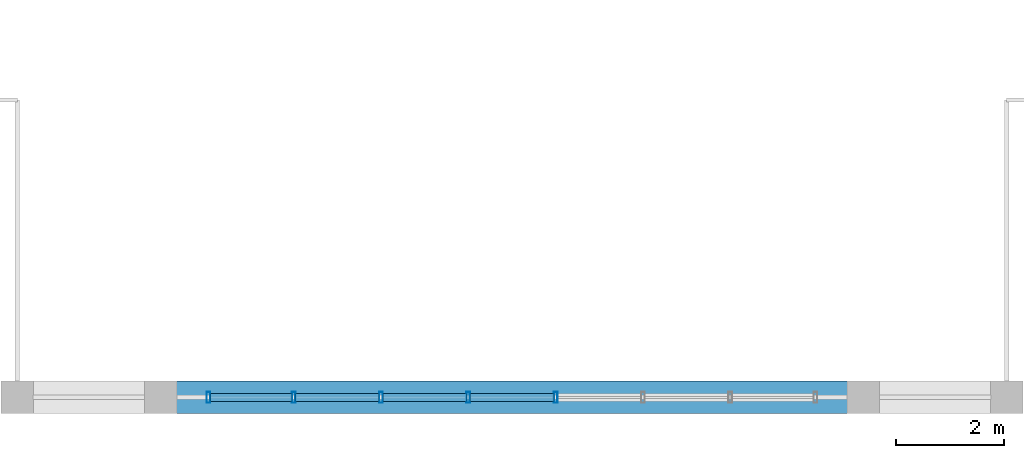
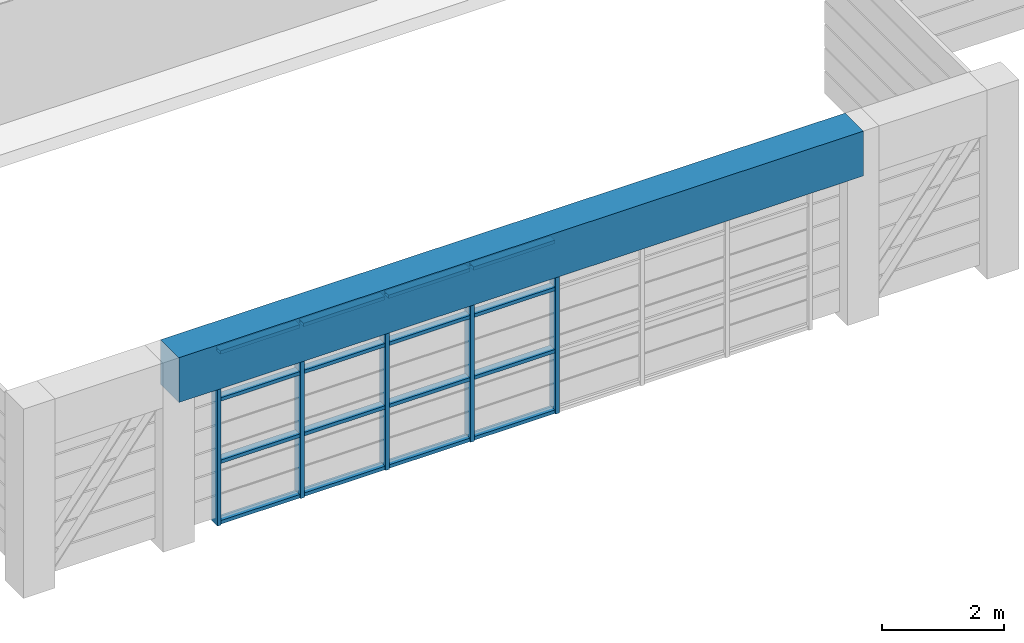
# One storey, part 2 of 21: 21 members, 1 beam, 1 element without a shape of its own.
"""IFC4 building model written with IfcOpenShell, lengths in metres."""

from ifc_helpers import new_model, si_unit, direction, frame, origin, origin_2d, place, context, subcontext, project, spatial, rectangle, hollow_rectangle, extrude, source, transform, mapped, material, layer, layer_set, material_profile, profile_set, type_object, element, aggregate, save


model = new_model("IFC4")

# Units and contexts
model_context = context("Model", 3, precision=1e-05, world=origin(), true_north=direction((0.0, 1.0)))
body_context = subcontext(model_context, "Body", "Model", "MODEL_VIEW")
ifc_project = project(units=[si_unit("LENGTHUNIT", "METRE"), si_unit("AREAUNIT", "SQUARE_METRE"), si_unit("VOLUMEUNIT", "CUBIC_METRE"), si_unit("PLANEANGLEUNIT", "RADIAN"), si_unit("MASSUNIT", "GRAM", prefix="KILO")], contexts=[model_context])

# Site, building, storey
site_placement = place(None, origin())
site = spatial("IfcSite", under=ifc_project, at=site_placement, CompositionType="ELEMENT")
building_placement = place(site_placement, origin())
building = spatial("IfcBuilding", under=site, at=building_placement, Name="Saelheon Loggia Tower", CompositionType="ELEMENT")
storey_placement = place(building_placement, frame((0.0, 0.0, 267.39990234375)))
storey = spatial("IfcBuildingStorey", under=building, at=storey_placement, Name="CR5", CompositionType="ELEMENT", Elevation=267.39990234375)

# Beam
ifc_material_1 = material(Name="Precast Concrete C45/55", Category="concrete")
ifc_material_profile_1 = material_profile(ifc_material_1, rectangle(XDim=0.60009765625, YDim=0.89990234375, at=origin_2d()), Name="RC-600x900")
ifc_profile_set_1 = profile_set([ifc_material_profile_1], Name="Precast Concrete C45/55")
beam_type = type_object("IfcBeamType", Name="CrownFrame_Ring_RC600x900", PredefinedType="BEAM", material=ifc_profile_set_1)
shared_shape_1 = source(origin(), body_context, "Body", "SweptSolid", [
    extrude(rectangle(XDim=0.60009765625, YDim=0.89990234375, at=origin_2d()), origin(), (0.0, 0.0, 1.0), 13.0),
])
beam_placement = place(storey_placement, frame((31.5, 6.35009765625, 3.35009765625), z_axis=(1.0, 0.0, 0.0), x_axis=(0.0, 1.0, 0.0)))
element("IfcBeam", 1, at=beam_placement, inside=storey, type_object=beam_type, Name="CR5 CROWN FRAME Sill Beam 02", PredefinedType="BEAM", context=body_context, shape_type="MappedRepresentation", body=[
    mapped(shared_shape_1, transform((0.0, 0.0, 0.0), scale=1.0)),
])

# Curtain wall, members
ifc_material_2 = material(Name="Bronze-Anodised Aluminium and Fritted Ceramic Screen", Category="aluminium")
ifc_layer = layer(ifc_material_2, 0.219970703125)
ifc_layer_set = layer_set([ifc_layer], Name="Bronze-Anodised Aluminium and Fritted Ceramic Screen")
curtain_wall_type = type_object("IfcCurtainWallType", Name="CW_CrownScreen", PredefinedType="NOTDEFINED", material=ifc_layer_set)
curtain_wall_placement = place(storey_placement, origin())
curtain_wall = element("IfcCurtainWall", 2, at=curtain_wall_placement, inside=storey, type_object=curtain_wall_type, Name="CR5 Crown Central Screen Curtain Wall 0", PredefinedType="NOTDEFINED")
ifc_material_3 = material(Name="Bronze-Anodised Aluminium 6063-T6", Category="aluminium")
ifc_material_profile_2 = material_profile(ifc_material_3, hollow_rectangle(XDim=0.070068359375, YDim=0.199951171875, WallThickness=0.0048828125, at=origin_2d()), Name="RHS-200x70x5")
ifc_profile_set_2 = profile_set([ifc_material_profile_2], Name="Bronze-Anodised Aluminium 6063-T6")
member_type_1 = type_object("IfcMemberType", Name="CW_CrownScreen_Mullion", PredefinedType="MULLION", material=ifc_profile_set_2)
shared_shape_2 = source(origin(), body_context, "Body", "SweptSolid", [
    extrude(hollow_rectangle(XDim=0.070068359375, YDim=0.199951171875, WallThickness=0.0048828125, at=origin_2d()), origin(), (0.0, 0.0, 1.0), 3.47998046875),
])
member_1_placement = place(storey_placement, frame((32.385009765625, 6.35009765625, 0.0), z_axis=(0.0, 0.0, 1.0), x_axis=(1.0, 0.0, 0.0)))
member_1 = element("IfcMember", 3, at=member_1_placement, type_object=member_type_1, Name="CW6 mullion 1", PredefinedType="MULLION", context=body_context, shape_type="MappedRepresentation", body=[
    mapped(shared_shape_2, transform((0.0, 0.0, 0.0), scale=1.0)),
])
member_2_placement = place(storey_placement, frame((33.96435546875, 6.35009765625, 0.0), z_axis=(0.0, 0.0, 1.0), x_axis=(1.0, 0.0, 0.0)))
member_2 = element("IfcMember", 4, at=member_2_placement, type_object=member_type_1, Name="CW6 mullion 2", PredefinedType="MULLION", context=body_context, shape_type="MappedRepresentation", body=[
    mapped(shared_shape_2, transform((0.0, 0.0, 0.0), scale=1.0)),
])
member_3_placement = place(storey_placement, frame((35.57861328125, 6.35009765625, 0.0), z_axis=(0.0, 0.0, 1.0), x_axis=(1.0, 0.0, 0.0)))
member_3 = element("IfcMember", 5, at=member_3_placement, type_object=member_type_1, Name="CW6 mullion 3", PredefinedType="MULLION", context=body_context, shape_type="MappedRepresentation", body=[
    mapped(shared_shape_2, transform((0.0, 0.0, 0.0), scale=1.0)),
])
member_4_placement = place(storey_placement, frame((37.19287109375, 6.35009765625, 0.0), z_axis=(0.0, 0.0, 1.0), x_axis=(1.0, 0.0, 0.0)))
member_4 = element("IfcMember", 6, at=member_4_placement, type_object=member_type_1, Name="CW6 mullion 4", PredefinedType="MULLION", context=body_context, shape_type="MappedRepresentation", body=[
    mapped(shared_shape_2, transform((0.0, 0.0, 0.0), scale=1.0)),
])
member_5_placement = place(storey_placement, frame((38.80712890625, 6.35009765625, 0.0), z_axis=(0.0, 0.0, 1.0), x_axis=(1.0, 0.0, 0.0)))
member_5 = element("IfcMember", 7, at=member_5_placement, type_object=member_type_1, Name="CW6 mullion 5", PredefinedType="MULLION", context=body_context, shape_type="MappedRepresentation", body=[
    mapped(shared_shape_2, transform((0.0, 0.0, 0.0), scale=1.0)),
])
ifc_material_profile_3 = material_profile(ifc_material_3, hollow_rectangle(XDim=0.070068359375, YDim=0.14990234375, WallThickness=0.0048828125, at=origin_2d()), Name="RHS-150x70x5")
ifc_profile_set_3 = profile_set([ifc_material_profile_3], Name="Bronze-Anodised Aluminium 6063-T6")
member_type_2 = type_object("IfcMemberType", Name="CW_CrownScreen_Transom", PredefinedType="USERDEFINED", material=ifc_profile_set_3)
shared_shape_3 = source(origin(), body_context, "Body", "SweptSolid", [
    extrude(hollow_rectangle(XDim=0.070068359375, YDim=0.14990234375, WallThickness=0.0048828125, at=origin_2d()), origin(), (0.0, 0.0, 1.0), 1.50927734375),
])
member_6_placement = place(storey_placement, frame((32.419921875, 6.35009765625, 0.03515625), z_axis=(1.0, 0.0, 0.0), x_axis=(0.0, 0.0, 1.0)))
member_6 = element("IfcMember", 8, at=member_6_placement, type_object=member_type_2, Name="CW6 transom 1.1", ObjectType="TRANSOM", PredefinedType="USERDEFINED", context=body_context, shape_type="MappedRepresentation", body=[
    mapped(shared_shape_3, transform((0.0, 0.0, 0.0), scale=1.0)),
])
member_7_placement = place(storey_placement, frame((32.419921875, 6.35009765625, 1.25), z_axis=(1.0, 0.0, 0.0), x_axis=(0.0, 0.0, 1.0)))
member_7 = element("IfcMember", 9, at=member_7_placement, type_object=member_type_2, Name="CW6 transom 1.2", ObjectType="TRANSOM", PredefinedType="USERDEFINED", context=body_context, shape_type="MappedRepresentation", body=[
    mapped(shared_shape_3, transform((0.0, 0.0, 0.0), scale=1.0)),
])
member_8_placement = place(storey_placement, frame((32.419921875, 6.35009765625, 2.5), z_axis=(1.0, 0.0, 0.0), x_axis=(0.0, 0.0, 1.0)))
member_8 = element("IfcMember", 10, at=member_8_placement, type_object=member_type_2, Name="CW6 transom 1.3", ObjectType="TRANSOM", PredefinedType="USERDEFINED", context=body_context, shape_type="MappedRepresentation", body=[
    mapped(shared_shape_3, transform((0.0, 0.0, 0.0), scale=1.0)),
])
member_9_placement = place(storey_placement, frame((32.419921875, 6.35009765625, 3.445068359375), z_axis=(1.0, 0.0, 0.0), x_axis=(0.0, 0.0, 1.0)))
member_9 = element("IfcMember", 11, at=member_9_placement, type_object=member_type_2, Name="CW6 transom 1.4", ObjectType="TRANSOM", PredefinedType="USERDEFINED", context=body_context, shape_type="MappedRepresentation", body=[
    mapped(shared_shape_3, transform((0.0, 0.0, 0.0), scale=1.0)),
])
shared_shape_4 = source(origin(), body_context, "Body", "SweptSolid", [
    extrude(hollow_rectangle(XDim=0.070068359375, YDim=0.14990234375, WallThickness=0.0048828125, at=origin_2d()), origin(), (0.0, 0.0, 1.0), 1.544189453125),
])
member_10_placement = place(storey_placement, frame((33.999267578125, 6.35009765625, 0.03515625), z_axis=(1.0, 0.0, 0.0), x_axis=(0.0, 0.0, 1.0)))
member_10 = element("IfcMember", 12, at=member_10_placement, type_object=member_type_2, Name="CW6 transom 2.1", ObjectType="TRANSOM", PredefinedType="USERDEFINED", context=body_context, shape_type="MappedRepresentation", body=[
    mapped(shared_shape_4, transform((0.0, 0.0, 0.0), scale=1.0)),
])
member_11_placement = place(storey_placement, frame((33.999267578125, 6.35009765625, 1.25), z_axis=(1.0, 0.0, 0.0), x_axis=(0.0, 0.0, 1.0)))
member_11 = element("IfcMember", 13, at=member_11_placement, type_object=member_type_2, Name="CW6 transom 2.2", ObjectType="TRANSOM", PredefinedType="USERDEFINED", context=body_context, shape_type="MappedRepresentation", body=[
    mapped(shared_shape_4, transform((0.0, 0.0, 0.0), scale=1.0)),
])
member_12_placement = place(storey_placement, frame((33.999267578125, 6.35009765625, 2.5), z_axis=(1.0, 0.0, 0.0), x_axis=(0.0, 0.0, 1.0)))
member_12 = element("IfcMember", 14, at=member_12_placement, type_object=member_type_2, Name="CW6 transom 2.3", ObjectType="TRANSOM", PredefinedType="USERDEFINED", context=body_context, shape_type="MappedRepresentation", body=[
    mapped(shared_shape_4, transform((0.0, 0.0, 0.0), scale=1.0)),
])
member_13_placement = place(storey_placement, frame((33.999267578125, 6.35009765625, 3.445068359375), z_axis=(1.0, 0.0, 0.0), x_axis=(0.0, 0.0, 1.0)))
member_13 = element("IfcMember", 15, at=member_13_placement, type_object=member_type_2, Name="CW6 transom 2.4", ObjectType="TRANSOM", PredefinedType="USERDEFINED", context=body_context, shape_type="MappedRepresentation", body=[
    mapped(shared_shape_4, transform((0.0, 0.0, 0.0), scale=1.0)),
])
shared_shape_5 = source(origin(), body_context, "Body", "SweptSolid", [
    extrude(hollow_rectangle(XDim=0.070068359375, YDim=0.14990234375, WallThickness=0.0048828125, at=origin_2d()), origin(), (0.0, 0.0, 1.0), 1.54443359375),
])
member_14_placement = place(storey_placement, frame((35.613525390625, 6.35009765625, 0.03515625), z_axis=(1.0, 0.0, 0.0), x_axis=(0.0, 0.0, 1.0)))
member_14 = element("IfcMember", 16, at=member_14_placement, type_object=member_type_2, Name="CW6 transom 3.1", ObjectType="TRANSOM", PredefinedType="USERDEFINED", context=body_context, shape_type="MappedRepresentation", body=[
    mapped(shared_shape_5, transform((0.0, 0.0, 0.0), scale=1.0)),
])
member_15_placement = place(storey_placement, frame((35.613525390625, 6.35009765625, 1.25), z_axis=(1.0, 0.0, 0.0), x_axis=(0.0, 0.0, 1.0)))
member_15 = element("IfcMember", 17, at=member_15_placement, type_object=member_type_2, Name="CW6 transom 3.2", ObjectType="TRANSOM", PredefinedType="USERDEFINED", context=body_context, shape_type="MappedRepresentation", body=[
    mapped(shared_shape_5, transform((0.0, 0.0, 0.0), scale=1.0)),
])
member_16_placement = place(storey_placement, frame((35.613525390625, 6.35009765625, 2.5), z_axis=(1.0, 0.0, 0.0), x_axis=(0.0, 0.0, 1.0)))
member_16 = element("IfcMember", 18, at=member_16_placement, type_object=member_type_2, Name="CW6 transom 3.3", ObjectType="TRANSOM", PredefinedType="USERDEFINED", context=body_context, shape_type="MappedRepresentation", body=[
    mapped(shared_shape_5, transform((0.0, 0.0, 0.0), scale=1.0)),
])
member_17_placement = place(storey_placement, frame((35.613525390625, 6.35009765625, 3.445068359375), z_axis=(1.0, 0.0, 0.0), x_axis=(0.0, 0.0, 1.0)))
member_17 = element("IfcMember", 19, at=member_17_placement, type_object=member_type_2, Name="CW6 transom 3.4", ObjectType="TRANSOM", PredefinedType="USERDEFINED", context=body_context, shape_type="MappedRepresentation", body=[
    mapped(shared_shape_5, transform((0.0, 0.0, 0.0), scale=1.0)),
])
member_18_placement = place(storey_placement, frame((37.227783203125, 6.35009765625, 0.03515625), z_axis=(1.0, 0.0, 0.0), x_axis=(0.0, 0.0, 1.0)))
member_18 = element("IfcMember", 20, at=member_18_placement, type_object=member_type_2, Name="CW6 transom 4.1", ObjectType="TRANSOM", PredefinedType="USERDEFINED", context=body_context, shape_type="MappedRepresentation", body=[
    mapped(shared_shape_5, transform((0.0, 0.0, 0.0), scale=1.0)),
])
member_19_placement = place(storey_placement, frame((37.227783203125, 6.35009765625, 1.25), z_axis=(1.0, 0.0, 0.0), x_axis=(0.0, 0.0, 1.0)))
member_19 = element("IfcMember", 21, at=member_19_placement, type_object=member_type_2, Name="CW6 transom 4.2", ObjectType="TRANSOM", PredefinedType="USERDEFINED", context=body_context, shape_type="MappedRepresentation", body=[
    mapped(shared_shape_5, transform((0.0, 0.0, 0.0), scale=1.0)),
])
member_20_placement = place(storey_placement, frame((37.227783203125, 6.35009765625, 2.5), z_axis=(1.0, 0.0, 0.0), x_axis=(0.0, 0.0, 1.0)))
member_20 = element("IfcMember", 22, at=member_20_placement, type_object=member_type_2, Name="CW6 transom 4.3", ObjectType="TRANSOM", PredefinedType="USERDEFINED", context=body_context, shape_type="MappedRepresentation", body=[
    mapped(shared_shape_5, transform((0.0, 0.0, 0.0), scale=1.0)),
])
member_21_placement = place(storey_placement, frame((37.227783203125, 6.35009765625, 3.445068359375), z_axis=(1.0, 0.0, 0.0), x_axis=(0.0, 0.0, 1.0)))
member_21 = element("IfcMember", 23, at=member_21_placement, type_object=member_type_2, Name="CW6 transom 4.4", ObjectType="TRANSOM", PredefinedType="USERDEFINED", context=body_context, shape_type="MappedRepresentation", body=[
    mapped(shared_shape_5, transform((0.0, 0.0, 0.0), scale=1.0)),
])
aggregate(curtain_wall, [member_1, member_2, member_3, member_4, member_5, member_6, member_7, member_8, member_9, member_10, member_11, member_12, member_13, member_14, member_15, member_16, member_17, member_18, member_19, member_20, member_21])

save(model, "model.ifc")
